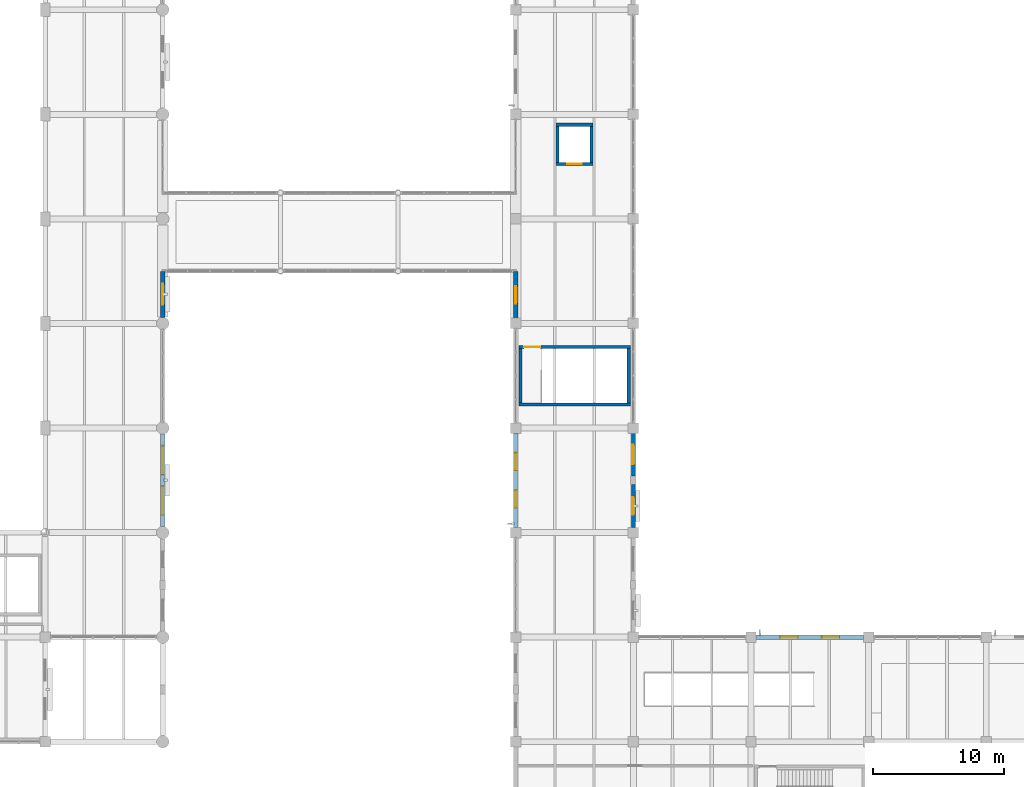
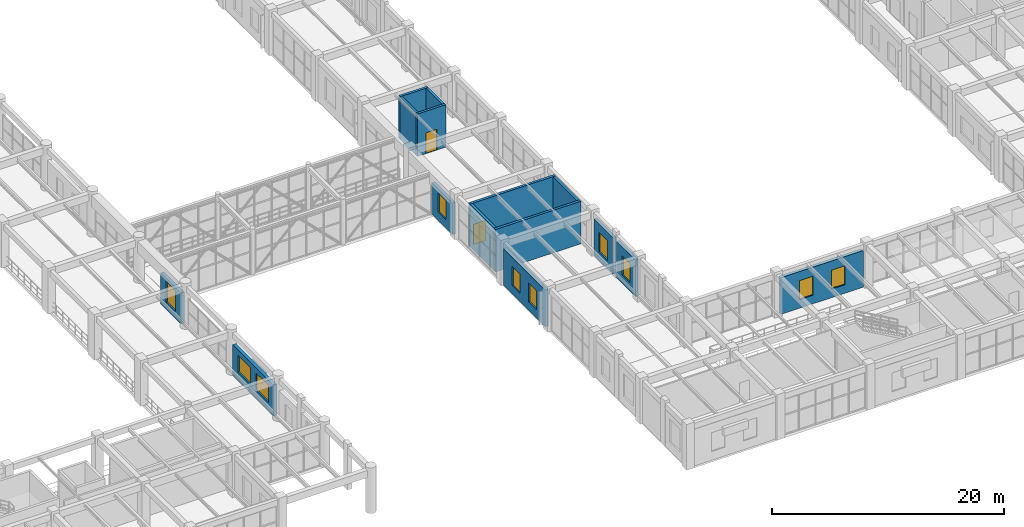
# One storey, part 153 of 178: 15 walls, 10 windows, 2 doors, 12 openings.
"""IFC4 building model written with IfcOpenShell, lengths in metres."""

from ifc_helpers import new_model, si_unit, derived_unit, direction, frame, frame_2d, origin, place, context, subcontext, project, spatial, rectangle, extrude, material, layer, layer_set, type_object, element, fill, save


model = new_model("IFC4")

# Units and contexts
model_context = context("Model", 3, precision=1e-05, world=origin(), true_north=direction((0.0, 1.0)))
body_context = subcontext(model_context, "Body", "Model", "MODEL_VIEW")
ifc_project = project(units=[si_unit("LENGTHUNIT", "METRE"), si_unit("AREAUNIT", "SQUARE_METRE"), si_unit("VOLUMEUNIT", "CUBIC_METRE"), si_unit("PLANEANGLEUNIT", "RADIAN"), si_unit("MASSUNIT", "GRAM", prefix="KILO"), derived_unit("THERMALTRANSMITTANCEUNIT", [(si_unit("MASSUNIT", "GRAM", prefix="KILO"), 1), (si_unit("TIMEUNIT", "SECOND"), -3), (si_unit("THERMODYNAMICTEMPERATUREUNIT", "KELVIN"), -1)])], contexts=[model_context])

# Site, building, storey
site_placement = place(None, origin())
site = spatial("IfcSite", under=ifc_project, at=site_placement, CompositionType="ELEMENT")
building_placement = place(site_placement, origin())
building = spatial("IfcBuilding", under=site, at=building_placement, Name="Zhenchuan Archway Interchange", CompositionType="ELEMENT")
storey_placement = place(building_placement, frame((0.0, 0.0, 5.39990234375)))
storey = spatial("IfcBuildingStorey", under=building, at=storey_placement, Name="L01", CompositionType="ELEMENT", Elevation=5.39990234375)

# Wall, openings, windows
ifc_material_1 = material(Name="Granite Stone Cladding", Category="masonry")
ifc_layer_1 = layer(ifc_material_1, 0.320068359375)
ifc_layer_set_1 = layer_set([ifc_layer_1], Name="Granite Stone Cladding")
wall_type_1 = type_object("IfcWallType", Name="EW_GRANITE_320", PredefinedType="STANDARD", material=ifc_layer_set_1)
wall_1_placement = place(storey_placement, frame((99.0, 32.39794921875, 0.0), z_axis=(0.0, 0.0, 1.0), x_axis=(0.0, 1.0, 0.0)))
wall_1 = element("IfcWall", 1, at=wall_1_placement, inside=storey, type_object=wall_type_1, Name="Exterior wall L01-079", PredefinedType="STANDARD", context=body_context, shape_type="SweptSolid", body=[
    extrude(rectangle(XDim=7.2041015625, YDim=0.320068359375, at=frame_2d((3.60205078125, 0.0))), origin(), (0.0, 0.0, 1.0), 3.860107421875),
])
opening_1_placement = place(wall_1_placement, frame((1.501220703125, 0.0, 0.89990234375)))
opening_1 = element("IfcOpeningElement", 2, at=opening_1_placement, cuts=wall_1, Name="Opening W-06", PredefinedType="OPENING", context=body_context, shape_type="SweptSolid", body=[
    extrude(rectangle(XDim=1.35009765625, YDim=2.0, at=frame_2d((0.675048828125, 1.0))), frame((0.0, 0.171875, 0.0), z_axis=(0.0, -1.0, 0.0), x_axis=(1.0, 0.0, 0.0)), (0.0, 0.0, 1.0), 0.343994140625),
])
opening_2_placement = place(wall_1_placement, frame((4.352783203125, 0.0, 0.89990234375)))
opening_2 = element("IfcOpeningElement", 3, at=opening_2_placement, cuts=wall_1, Name="Opening W-06", PredefinedType="OPENING", context=body_context, shape_type="SweptSolid", body=[
    extrude(rectangle(XDim=1.35009765625, YDim=2.0, at=frame_2d((0.675048828125, 1.0))), frame((0.0, 0.171875, 0.0), z_axis=(0.0, -1.0, 0.0), x_axis=(1.0, 0.0, 0.0)), (0.0, 0.0, 1.0), 0.343994140625),
])
ifc_material_2 = material(Name="Double Low-E Insulated Glazing", Category="glass")
window_type_1 = type_object("IfcWindowType", Name="WN_MOD_1350x2000", PartitioningType="SINGLE_PANEL", PredefinedType="WINDOW", material=ifc_material_2)
window_1_placement = place(opening_1_placement, origin())
window_1 = element("IfcWindow", 4, at=window_1_placement, inside=storey, type_object=window_type_1, Name="Window L01-0157", OverallHeight=2.0, OverallWidth=1.35009765625, PartitioningType="SINGLE_PANEL", PredefinedType="WINDOW", context=body_context, shape_type="SweptSolid", body=[
    extrude(rectangle(XDim=1.35009765625, YDim=2.0, at=frame_2d((0.675048828125, 1.0))), frame((0.0, 0.030029296875, 0.0), z_axis=(0.0, -1.0, 0.0), x_axis=(1.0, 0.0, 0.0)), (0.0, 0.0, 1.0), 0.06005859375),
])
fill(opening_1, window_1)
window_2_placement = place(opening_2_placement, origin())
window_2 = element("IfcWindow", 5, at=window_2_placement, inside=storey, type_object=window_type_1, Name="Window L01-0158", OverallHeight=2.0, OverallWidth=1.35009765625, PartitioningType="SINGLE_PANEL", PredefinedType="WINDOW", context=body_context, shape_type="SweptSolid", body=[
    extrude(rectangle(XDim=1.35009765625, YDim=2.0, at=frame_2d((0.675048828125, 1.0))), frame((0.0, 0.030029296875, 0.0), z_axis=(0.0, -1.0, 0.0), x_axis=(1.0, 0.0, 0.0)), (0.0, 0.0, 1.0), 0.06005859375),
])
fill(opening_2, window_2)

# Wall, opening, window
wall_2_placement = place(storey_placement, frame((99.0, 48.39794921875, 0.0), z_axis=(0.0, 0.0, 1.0), x_axis=(0.0, 1.0, 0.0)))
wall_2 = element("IfcWall", 6, at=wall_2_placement, inside=storey, type_object=wall_type_1, Name="Exterior wall L01-081", PredefinedType="STANDARD", context=body_context, shape_type="SweptSolid", body=[
    extrude(rectangle(XDim=3.58203125, YDim=0.320068359375, at=frame_2d((1.791015625, 0.0))), origin(), (0.0, 0.0, 1.0), 3.31005859375),
])
opening_3_placement = place(wall_2_placement, frame((1.115966796875, 0.0, 0.89990234375)))
opening_3 = element("IfcOpeningElement", 7, at=opening_3_placement, cuts=wall_2, Name="Opening W-06", PredefinedType="OPENING", context=body_context, shape_type="SweptSolid", body=[
    extrude(rectangle(XDim=1.35009765625, YDim=2.0, at=frame_2d((0.675048828125, 1.0))), frame((0.0, 0.171875, 0.0), z_axis=(0.0, -1.0, 0.0), x_axis=(1.0, 0.0, 0.0)), (0.0, 0.0, 1.0), 0.343994140625),
])
window_3_placement = place(opening_3_placement, origin())
window_3 = element("IfcWindow", 8, at=window_3_placement, inside=storey, type_object=window_type_1, Name="Window L01-0159", OverallHeight=2.0, OverallWidth=1.35009765625, PartitioningType="SINGLE_PANEL", PredefinedType="WINDOW", context=body_context, shape_type="SweptSolid", body=[
    extrude(rectangle(XDim=1.35009765625, YDim=2.0, at=frame_2d((0.675048828125, 1.0))), frame((0.0, 0.030029296875, 0.0), z_axis=(0.0, -1.0, 0.0), x_axis=(1.0, 0.0, 0.0)), (0.0, 0.0, 1.0), 0.06005859375),
])
fill(opening_3, window_3)

wall_3_placement = place(storey_placement, frame((108.0, 39.60205078125, 0.0), z_axis=(0.0, 0.0, 1.0), x_axis=(0.0, -1.0, 0.0)))
wall_3 = element("IfcWall", 9, at=wall_3_placement, inside=storey, type_object=wall_type_1, Name="Exterior wall L01-144", PredefinedType="STANDARD", context=body_context, shape_type="SweptSolid", body=[
    extrude(rectangle(XDim=3.279052734375, YDim=0.320068359375, at=frame_2d((1.6396484375, 0.0))), origin(), (0.0, 0.0, 1.0), 3.860107421875),
])
opening_4_placement = place(wall_3_placement, frame((0.889404296875, 0.0, 0.89990234375)))
opening_4 = element("IfcOpeningElement", 10, at=opening_4_placement, cuts=wall_3, Name="Opening W-05", PredefinedType="OPENING", context=body_context, shape_type="SweptSolid", body=[
    extrude(rectangle(XDim=1.5, YDim=2.10009765625, at=frame_2d((0.75, 1.050048828125))), frame((0.0, 0.171875, 0.0), z_axis=(0.0, -1.0, 0.0), x_axis=(1.0, 0.0, 0.0)), (0.0, 0.0, 1.0), 0.343994140625),
])
window_type_2 = type_object("IfcWindowType", Name="WN_PUNCH_1500x2100", PartitioningType="SINGLE_PANEL", PredefinedType="WINDOW", material=ifc_material_2)
window_4_placement = place(opening_4_placement, origin())
window_4 = element("IfcWindow", 11, at=window_4_placement, inside=storey, type_object=window_type_2, Name="Window L01-0186", OverallHeight=2.10009765625, OverallWidth=1.5, PartitioningType="SINGLE_PANEL", PredefinedType="WINDOW", context=body_context, shape_type="SweptSolid", body=[
    extrude(rectangle(XDim=1.5, YDim=2.10009765625, at=frame_2d((0.75, 1.050048828125))), frame((0.0, 0.030029296875, 0.0), z_axis=(0.0, -1.0, 0.0), x_axis=(1.0, 0.0, 0.0)), (0.0, 0.0, 1.0), 0.06005859375),
])
fill(opening_4, window_4)

wall_4_placement = place(storey_placement, frame((108.0, 35.677001953125, 0.0), z_axis=(0.0, 0.0, 1.0), x_axis=(0.0, -1.0, 0.0)))
wall_4 = element("IfcWall", 12, at=wall_4_placement, inside=storey, type_object=wall_type_1, Name="Exterior wall L01-145", PredefinedType="STANDARD", context=body_context, shape_type="SweptSolid", body=[
    extrude(rectangle(XDim=3.279052734375, YDim=0.320068359375, at=frame_2d((1.6396484375, 0.0))), origin(), (0.0, 0.0, 1.0), 3.860107421875),
])
opening_5_placement = place(wall_4_placement, frame((0.964599609375, 0.0, 0.89990234375)))
opening_5 = element("IfcOpeningElement", 13, at=opening_5_placement, cuts=wall_4, Name="Opening W-06", PredefinedType="OPENING", context=body_context, shape_type="SweptSolid", body=[
    extrude(rectangle(XDim=1.35009765625, YDim=2.0, at=frame_2d((0.675048828125, 1.0))), frame((0.0, 0.171875, 0.0), z_axis=(0.0, -1.0, 0.0), x_axis=(1.0, 0.0, 0.0)), (0.0, 0.0, 1.0), 0.343994140625),
])
window_5_placement = place(opening_5_placement, origin())
window_5 = element("IfcWindow", 14, at=window_5_placement, inside=storey, type_object=window_type_1, Name="Window L01-0187", OverallHeight=2.0, OverallWidth=1.35009765625, PartitioningType="SINGLE_PANEL", PredefinedType="WINDOW", context=body_context, shape_type="SweptSolid", body=[
    extrude(rectangle(XDim=1.35009765625, YDim=2.0, at=frame_2d((0.675048828125, 1.0))), frame((0.0, 0.030029296875, 0.0), z_axis=(0.0, -1.0, 0.0), x_axis=(1.0, 0.0, 0.0)), (0.0, 0.0, 1.0), 0.06005859375),
])
fill(opening_5, window_5)

# Wall, openings, windows
wall_5_placement = place(storey_placement, frame((117.39794921875, 24.0, 0.0), z_axis=(0.0, 0.0, 1.0), x_axis=(1.0, 0.0, 0.0)))
wall_5 = element("IfcWall", 15, at=wall_5_placement, inside=storey, type_object=wall_type_1, Name="Exterior wall L01-149", PredefinedType="STANDARD", context=body_context, shape_type="SweptSolid", body=[
    extrude(rectangle(XDim=8.2041015625, YDim=0.320068359375, at=frame_2d((4.10205078125, 0.0))), origin(), (0.0, 0.0, 1.0), 3.860107421875),
])
opening_6_placement = place(wall_5_placement, frame((1.834716796875, 0.0, 0.89990234375)))
opening_6 = element("IfcOpeningElement", 16, at=opening_6_placement, cuts=wall_5, Name="Opening W-06", PredefinedType="OPENING", context=body_context, shape_type="SweptSolid", body=[
    extrude(rectangle(XDim=1.35009765625, YDim=2.0, at=frame_2d((0.675048828125, 1.0))), frame((0.0, 0.171875, 0.0), z_axis=(0.0, -1.0, 0.0), x_axis=(1.0, 0.0, 0.0)), (0.0, 0.0, 1.0), 0.343994140625),
])
opening_7_placement = place(wall_5_placement, frame((5.019287109375, 0.0, 0.89990234375)))
opening_7 = element("IfcOpeningElement", 17, at=opening_7_placement, cuts=wall_5, Name="Opening W-06", PredefinedType="OPENING", context=body_context, shape_type="SweptSolid", body=[
    extrude(rectangle(XDim=1.35009765625, YDim=2.0, at=frame_2d((0.675048828125, 1.0))), frame((0.0, 0.171875, 0.0), z_axis=(0.0, -1.0, 0.0), x_axis=(1.0, 0.0, 0.0)), (0.0, 0.0, 1.0), 0.343994140625),
])
window_6_placement = place(opening_6_placement, origin())
window_6 = element("IfcWindow", 18, at=window_6_placement, inside=storey, type_object=window_type_1, Name="Window L01-0190", OverallHeight=2.0, OverallWidth=1.35009765625, PartitioningType="SINGLE_PANEL", PredefinedType="WINDOW", context=body_context, shape_type="SweptSolid", body=[
    extrude(rectangle(XDim=1.35009765625, YDim=2.0, at=frame_2d((0.675048828125, 1.0))), frame((0.0, 0.030029296875, 0.0), z_axis=(0.0, -1.0, 0.0), x_axis=(1.0, 0.0, 0.0)), (0.0, 0.0, 1.0), 0.06005859375),
])
fill(opening_6, window_6)
window_7_placement = place(opening_7_placement, origin())
window_7 = element("IfcWindow", 19, at=window_7_placement, inside=storey, type_object=window_type_1, Name="Window L01-0191", OverallHeight=2.0, OverallWidth=1.35009765625, PartitioningType="SINGLE_PANEL", PredefinedType="WINDOW", context=body_context, shape_type="SweptSolid", body=[
    extrude(rectangle(XDim=1.35009765625, YDim=2.0, at=frame_2d((0.675048828125, 1.0))), frame((0.0, 0.030029296875, 0.0), z_axis=(0.0, -1.0, 0.0), x_axis=(1.0, 0.0, 0.0)), (0.0, 0.0, 1.0), 0.06005859375),
])
fill(opening_7, window_7)

# Wall, opening, window
ifc_material_3 = material(Name="Terracotta Masonry", Category="masonry")
ifc_layer_2 = layer(ifc_material_3, 0.340087890625)
ifc_layer_set_2 = layer_set([ifc_layer_2], Name="Terracotta Masonry")
wall_type_2 = type_object("IfcWallType", Name="EW_TERRA_340", PredefinedType="STANDARD", material=ifc_layer_set_2)
wall_6_placement = place(storey_placement, frame((72.0, 51.97998046875, 0.0), z_axis=(0.0, 0.0, 1.0), x_axis=(0.0, -1.0, 0.0)))
wall_6 = element("IfcWall", 20, at=wall_6_placement, inside=storey, type_object=wall_type_2, Name="Exterior wall L01-085", PredefinedType="STANDARD", context=body_context, shape_type="SweptSolid", body=[
    extrude(rectangle(XDim=3.508056640625, YDim=0.340087890625, at=frame_2d((1.75390625, 0.0))), origin(), (0.0, 0.0, 1.0), 3.260009765625),
])
opening_8_placement = place(wall_6_placement, frame((0.9541015625, 0.0, 0.75)))
opening_8 = element("IfcOpeningElement", 21, at=opening_8_placement, cuts=wall_6, Name="Opening W-04", PredefinedType="OPENING", context=body_context, shape_type="SweptSolid", body=[
    extrude(rectangle(XDim=1.60009765625, YDim=2.199951171875, at=frame_2d((0.800048828125, 1.10009765625))), frame((0.0, 0.18212890625, 0.0), z_axis=(0.0, -1.0, 0.0), x_axis=(1.0, 0.0, 0.0)), (0.0, 0.0, 1.0), 0.364013671875),
])
window_type_3 = type_object("IfcWindowType", Name="WN_PUNCH_1600x2200", PartitioningType="SINGLE_PANEL", PredefinedType="WINDOW", material=ifc_material_2)
window_8_placement = place(opening_8_placement, origin())
window_8 = element("IfcWindow", 22, at=window_8_placement, inside=storey, type_object=window_type_3, Name="Window L01-0160", OverallHeight=2.199951171875, OverallWidth=1.60009765625, PartitioningType="SINGLE_PANEL", PredefinedType="WINDOW", context=body_context, shape_type="SweptSolid", body=[
    extrude(rectangle(XDim=1.60009765625, YDim=2.199951171875, at=frame_2d((0.800048828125, 1.10009765625))), frame((0.0, 0.030029296875, 0.0), z_axis=(0.0, -1.0, 0.0), x_axis=(1.0, 0.0, 0.0)), (0.0, 0.0, 1.0), 0.06005859375),
])
fill(opening_8, window_8)

# Wall, openings, windows
wall_7_placement = place(storey_placement, frame((72.0, 39.528076171875, 0.0), z_axis=(0.0, 0.0, 1.0), x_axis=(0.0, -1.0, 0.0)))
wall_7 = element("IfcWall", 23, at=wall_7_placement, inside=storey, type_object=wall_type_2, Name="Exterior wall L01-087", PredefinedType="STANDARD", context=body_context, shape_type="SweptSolid", body=[
    extrude(rectangle(XDim=7.05615234375, YDim=0.340087890625, at=frame_2d((3.528076171875, 0.0))), origin(), (0.0, 0.0, 1.0), 3.260009765625),
])
opening_9_placement = place(wall_7_placement, frame((0.88525390625, 0.0, 0.89990234375)))
opening_9 = element("IfcOpeningElement", 24, at=opening_9_placement, cuts=wall_7, Name="Opening W-08", PredefinedType="OPENING", context=body_context, shape_type="SweptSolid", body=[
    extrude(rectangle(XDim=2.199951171875, YDim=1.800048828125, at=frame_2d((1.10009765625, 0.89990234375))), frame((0.0, 0.18212890625, 0.0), z_axis=(0.0, -1.0, 0.0), x_axis=(1.0, 0.0, 0.0)), (0.0, 0.0, 1.0), 0.364013671875),
])
opening_10_placement = place(wall_7_placement, frame((3.970703125, 0.0, 0.89990234375)))
opening_10 = element("IfcOpeningElement", 25, at=opening_10_placement, cuts=wall_7, Name="Opening W-08", PredefinedType="OPENING", context=body_context, shape_type="SweptSolid", body=[
    extrude(rectangle(XDim=2.199951171875, YDim=1.800048828125, at=frame_2d((1.10009765625, 0.89990234375))), frame((0.0, 0.18212890625, 0.0), z_axis=(0.0, -1.0, 0.0), x_axis=(1.0, 0.0, 0.0)), (0.0, 0.0, 1.0), 0.364013671875),
])
window_type_4 = type_object("IfcWindowType", Name="WN_MOD_2200x1800", PartitioningType="SINGLE_PANEL", PredefinedType="WINDOW", material=ifc_material_2)
window_9_placement = place(opening_9_placement, origin())
window_9 = element("IfcWindow", 26, at=window_9_placement, inside=storey, type_object=window_type_4, Name="Window L01-0161", OverallHeight=1.800048828125, OverallWidth=2.199951171875, PartitioningType="SINGLE_PANEL", PredefinedType="WINDOW", context=body_context, shape_type="SweptSolid", body=[
    extrude(rectangle(XDim=2.199951171875, YDim=1.800048828125, at=frame_2d((1.10009765625, 0.89990234375))), frame((0.0, 0.030029296875, 0.0), z_axis=(0.0, -1.0, 0.0), x_axis=(1.0, 0.0, 0.0)), (0.0, 0.0, 1.0), 0.06005859375),
])
fill(opening_9, window_9)
window_10_placement = place(opening_10_placement, origin())
window_10 = element("IfcWindow", 27, at=window_10_placement, inside=storey, type_object=window_type_4, Name="Window L01-0162", OverallHeight=1.800048828125, OverallWidth=2.199951171875, PartitioningType="SINGLE_PANEL", PredefinedType="WINDOW", context=body_context, shape_type="SweptSolid", body=[
    extrude(rectangle(XDim=2.199951171875, YDim=1.800048828125, at=frame_2d((1.10009765625, 0.89990234375))), frame((0.0, 0.030029296875, 0.0), z_axis=(0.0, -1.0, 0.0), x_axis=(1.0, 0.0, 0.0)), (0.0, 0.0, 1.0), 0.06005859375),
])
fill(opening_10, window_10)

# Wall, opening, door
ifc_material_4 = material(Name="Concrete C40", Category="concrete")
ifc_layer_3 = layer(ifc_material_4, 0.239990234375)
ifc_layer_set_3 = layer_set([ifc_layer_3], Name="Concrete C40")
wall_type_3 = type_object("IfcWallType", Name="WL_LIFT_240", PredefinedType="SHEAR", material=ifc_layer_set_3)
wall_8_placement = place(storey_placement, frame((102.080078125, 60.199951171875, 0.0), z_axis=(0.0, 0.0, 1.0), x_axis=(1.0, 0.0, 0.0)))
wall_8 = element("IfcWall", 28, at=wall_8_placement, inside=storey, type_object=wall_type_3, Name="Lift LF-05 south shaft wall (L01)", PredefinedType="SHEAR", context=body_context, shape_type="SweptSolid", body=[
    extrude(rectangle(XDim=2.83984375, YDim=0.239990234375, at=frame_2d((1.419921875, 0.0))), origin(), (0.0, 0.0, 1.0), 4.47998046875),
])
opening_11_placement = place(wall_8_placement, frame((0.8701171875, 0.0, 0.0)))
opening_11 = element("IfcOpeningElement", 29, at=opening_11_placement, cuts=wall_8, Name="Opening LD-01", PredefinedType="OPENING", context=body_context, shape_type="SweptSolid", body=[
    extrude(rectangle(XDim=1.10009765625, YDim=2.199951171875, at=frame_2d((0.550048828125, 1.10009765625))), frame((0.0, 0.1318359375, 0.0), z_axis=(0.0, -1.0, 0.0), x_axis=(1.0, 0.0, 0.0)), (0.0, 0.0, 1.0), 0.263916015625),
])
ifc_material_5 = material(Name="Stainless Steel 304", Category="steel")
door_type_1 = type_object("IfcDoorType", Name="DR_LIFT_LD110", OperationType="DOUBLE_DOOR_SLIDING", PredefinedType="DOOR", material=ifc_material_5)
door_1_placement = place(opening_11_placement, origin())
door_1 = element("IfcDoor", 30, at=door_1_placement, inside=storey, type_object=door_type_1, Name="Lift LF-05 landing door (L01)", OperationType="DOUBLE_DOOR_SLIDING", OverallHeight=2.199951171875, OverallWidth=1.10009765625, PredefinedType="DOOR", context=body_context, shape_type="SweptSolid", body=[
    extrude(rectangle(XDim=1.10009765625, YDim=2.199951171875, at=frame_2d((0.550048828125, 1.10009765625))), frame((0.0, 0.02490234375, 0.0), z_axis=(0.0, -1.0, 0.0), x_axis=(1.0, 0.0, 0.0)), (0.0, 0.0, 1.0), 0.050048828125),
])
fill(opening_11, door_1)

# Walls
wall_9_placement = place(storey_placement, frame((104.919921875, 63.199951171875, 0.0), z_axis=(0.0, 0.0, 1.0), x_axis=(-1.0, 0.0, 0.0)))
element("IfcWall", 31, at=wall_9_placement, inside=storey, type_object=wall_type_3, Name="Lift LF-05 north shaft wall (L01)", PredefinedType="SHEAR", context=body_context, shape_type="SweptSolid", body=[
    extrude(rectangle(XDim=2.83984375, YDim=0.239990234375, at=frame_2d((1.419921875, 0.0))), origin(), (0.0, 0.0, 1.0), 4.47998046875),
])
for number, where, z_axis, x_axis, name in (
    (32, (102.199951171875, 63.080078125, 0.0), (0.0, 0.0, 1.0), (0.0, -1.0, 0.0), "Lift LF-05 west shaft wall (L01)"),
    (33, (104.800048828125, 60.320068359375, 0.0), (0.0, 0.0, 1.0), (0.0, 1.0, 0.0), "Lift LF-05 east shaft wall (L01)"),
):
    element("IfcWall", number, at=place(storey_placement, frame(where, z_axis=z_axis, x_axis=x_axis)), inside=storey, type_object=wall_type_3, Name=name, PredefinedType="SHEAR", context=body_context, shape_type="SweptSolid", body=[
        extrude(rectangle(XDim=2.760009765625, YDim=0.239990234375, at=frame_2d((1.3798828125, 0.0))), origin(), (0.0, 0.0, 1.0), 4.47998046875),
    ])
ifc_layer_4 = layer(ifc_material_4, 0.25)
ifc_layer_set_4 = layer_set([ifc_layer_4], Name="Concrete C40")
wall_type_4 = type_object("IfcWallType", Name="WL_STAIR_250", PredefinedType="SHEAR", material=ifc_layer_set_4)
wall_10_placement = place(storey_placement, frame((99.235107421875, 41.800048828125, 0.0), z_axis=(0.0, 0.0, 1.0), x_axis=(1.0, 0.0, 0.0)))
element("IfcWall", 34, at=wall_10_placement, inside=storey, type_object=wall_type_4, Name="Stair ST-BR south wall (L01)", PredefinedType="SHEAR", context=body_context, shape_type="SweptSolid", body=[
    extrude(rectangle(XDim=8.52978515625, YDim=0.25, at=frame_2d((4.264892578125, 0.0))), origin(), (0.0, 0.0, 1.0), 4.47998046875),
])

# Wall, opening, door
wall_11_placement = place(storey_placement, frame((107.764892578125, 46.199951171875, 0.0), z_axis=(0.0, 0.0, 1.0), x_axis=(-1.0, 0.0, 0.0)))
wall_11 = element("IfcWall", 35, at=wall_11_placement, inside=storey, type_object=wall_type_4, Name="Stair ST-BR north wall (L01)", PredefinedType="SHEAR", context=body_context, shape_type="SweptSolid", body=[
    extrude(rectangle(XDim=8.52978515625, YDim=0.25, at=frame_2d((4.264892578125, 0.0))), origin(), (0.0, 0.0, 1.0), 4.47998046875),
])
opening_12_placement = place(wall_11_placement, frame((6.875, 0.0, 0.0)))
opening_12 = element("IfcOpeningElement", 36, at=opening_12_placement, cuts=wall_11, Name="Opening FD-01", PredefinedType="OPENING", context=body_context, shape_type="SweptSolid", body=[
    extrude(rectangle(XDim=1.25, YDim=2.14990234375, at=frame_2d((0.625, 1.074951171875))), frame((0.0, 0.136962890625, 0.0), z_axis=(0.0, -1.0, 0.0), x_axis=(1.0, 0.0, 0.0)), (0.0, 0.0, 1.0), 0.27392578125),
])
ifc_material_6 = material(Name="Painted Galvanised Steel", Category="steel")
door_type_2 = type_object("IfcDoorType", Name="DR_STAIR_FD90", OperationType="NOTDEFINED", PredefinedType="DOOR", material=ifc_material_6)
door_2_placement = place(opening_12_placement, origin())
door_2 = element("IfcDoor", 37, at=door_2_placement, inside=storey, type_object=door_type_2, Name="Stair ST-BR fire door (L01)", OperationType="SINGLE_SWING_RIGHT", OverallHeight=2.14990234375, OverallWidth=1.25, PredefinedType="DOOR", context=body_context, shape_type="SweptSolid", body=[
    extrude(rectangle(XDim=1.25, YDim=2.14990234375, at=frame_2d((0.625, 1.074951171875))), frame((0.0, 0.02490234375, 0.0), z_axis=(0.0, -1.0, 0.0), x_axis=(1.0, 0.0, 0.0)), (0.0, 0.0, 1.0), 0.050048828125),
])
fill(opening_12, door_2)

# Walls
for number, where, z_axis, x_axis, name in (
    (38, (99.360107421875, 46.074951171875, 0.0), (0.0, 0.0, 1.0), (0.0, -1.0, 0.0), "Stair ST-BR west wall (L01)"),
    (39, (107.639892578125, 41.925048828125, 0.0), (0.0, 0.0, 1.0), (0.0, 1.0, 0.0), "Stair ST-BR east wall (L01)"),
):
    element("IfcWall", number, at=place(storey_placement, frame(where, z_axis=z_axis, x_axis=x_axis)), inside=storey, type_object=wall_type_4, Name=name, PredefinedType="SHEAR", context=body_context, shape_type="SweptSolid", body=[
        extrude(rectangle(XDim=4.14990234375, YDim=0.25, at=frame_2d((2.074951171875, 0.0))), origin(), (0.0, 0.0, 1.0), 4.47998046875),
    ])

save(model, "model.ifc")
